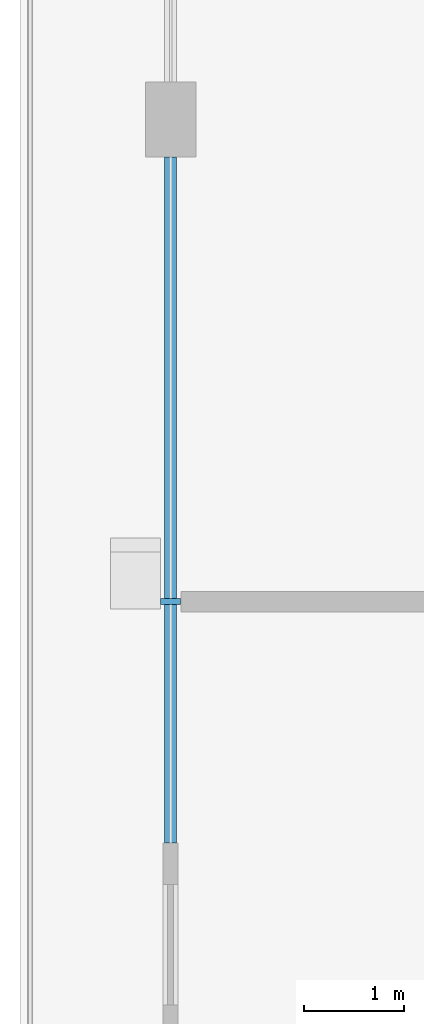
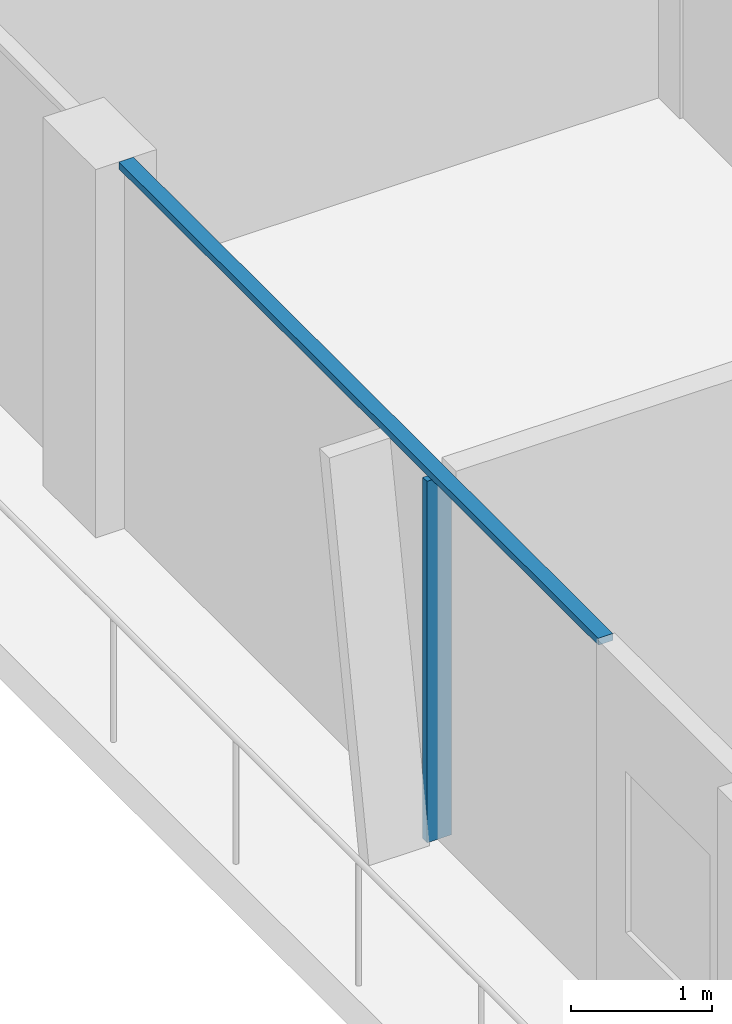
# One storey, part 3 of 22: 2 members, 1 element without a shape of its own.
"""IFC4 building model written with IfcOpenShell, lengths in metres."""

from ifc_helpers import new_model, si_unit, direction, frame, origin, origin_2d, place, context, subcontext, project, spatial, rectangle, extrude, material, layer, layer_set, material_profile, profile_set, type_object, element, aggregate, save


model = new_model("IFC4")

# Units and contexts
model_context = context("Model", 3, precision=1e-05, world=origin(), true_north=direction((0.0, 1.0)))
body_context = subcontext(model_context, "Body", "Model", "MODEL_VIEW")
ifc_project = project(units=[si_unit("LENGTHUNIT", "METRE"), si_unit("AREAUNIT", "SQUARE_METRE"), si_unit("VOLUMEUNIT", "CUBIC_METRE"), si_unit("PLANEANGLEUNIT", "RADIAN"), si_unit("MASSUNIT", "GRAM", prefix="KILO")], contexts=[model_context])

# Site, building, storey
site_placement = place(None, origin())
site = spatial("IfcSite", under=ifc_project, at=site_placement, CompositionType="ELEMENT")
building_placement = place(site_placement, origin())
building = spatial("IfcBuilding", under=site, at=building_placement, Name="Madar Terraces", CompositionType="ELEMENT")
storey_placement = place(building_placement, frame((0.0, 0.0, 279.10009765625)))
storey = spatial("IfcBuildingStorey", under=building, at=storey_placement, Name="L73", CompositionType="ELEMENT", Elevation=279.10009765625)

# Curtain wall, members
ifc_material_1 = material(Name="Glass, ceramic frit dark grey, with black aluminium frame", Category="aluminium")
ifc_layer = layer(ifc_material_1, 0.199951171875)
ifc_layer_set = layer_set([ifc_layer], Name="Facade curtain wall, fritted glass")
curtain_wall_type = type_object("IfcCurtainWallType", Name="Facade curtain wall, fritted glass", PredefinedType="NOTDEFINED", material=ifc_layer_set)
curtain_wall_placement = place(storey_placement, origin())
curtain_wall = element("IfcCurtainWall", 1, at=curtain_wall_placement, inside=storey, type_object=curtain_wall_type, Name="Outer skin curtain wall west bay 2", PredefinedType="NOTDEFINED")
ifc_material_2 = material(Name="Aluminium, black anodised", Category="aluminium")
ifc_material_profile_1 = material_profile(ifc_material_2, rectangle(XDim=0.199951171875, YDim=0.06005859375, at=origin_2d()), Name="Facade mullion 60x200")
ifc_profile_set_1 = profile_set([ifc_material_profile_1], Name="Aluminium, black anodised")
member_type_1 = type_object("IfcMemberType", Name="Facade mullion 60x200", PredefinedType="MULLION", material=ifc_profile_set_1)
member_1_placement = place(storey_placement, frame((0.0, 28.800048828125, 0.0), z_axis=(0.0, 0.0, 1.0), x_axis=(1.0, 0.0, 0.0)))
member_1 = element("IfcMember", 2, at=member_1_placement, type_object=member_type_1, Name="Mullion 1", PredefinedType="MULLION", context=body_context, shape_type="SweptSolid", body=[
    extrude(rectangle(XDim=0.199951171875, YDim=0.06005859375, at=origin_2d()), origin(), (0.0, 0.0, 1.0), 3.139892578125),
])
ifc_material_3 = material(Name="Aluminium, black anodised", Category="aluminium")
ifc_material_profile_2 = material_profile(ifc_material_3, rectangle(XDim=0.1201171875, YDim=0.06005859375, at=origin_2d()), Name="Facade transom 60x120")
ifc_profile_set_2 = profile_set([ifc_material_profile_2], Name="Aluminium, black anodised")
member_type_2 = type_object("IfcMemberType", Name="Facade transom 60x120", PredefinedType="USERDEFINED", material=ifc_profile_set_2)
member_2_placement = place(storey_placement, frame((0.0, 33.22509765625, 3.169921875), z_axis=(0.0, -1.0, 0.0), x_axis=(1.0, 0.0, 0.0)))
member_2 = element("IfcMember", 3, at=member_2_placement, type_object=member_type_2, Name="Transom 1", ObjectType="TRANSOM", PredefinedType="USERDEFINED", context=body_context, shape_type="SweptSolid", body=[
    extrude(rectangle(XDim=0.1201171875, YDim=0.06005859375, at=origin_2d()), origin(), (0.0, 0.0, 1.0), 6.8251953125),
])
aggregate(curtain_wall, [member_1, member_2])

save(model, "model.ifc")
